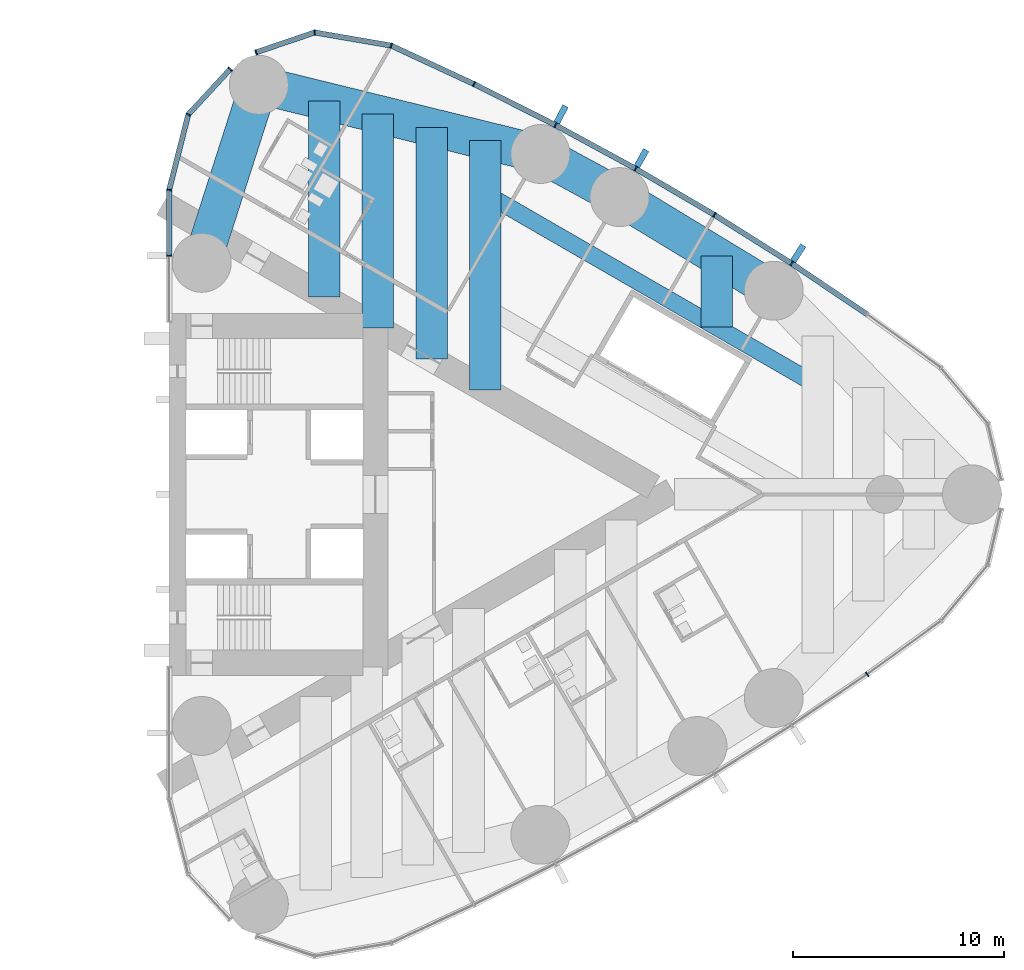
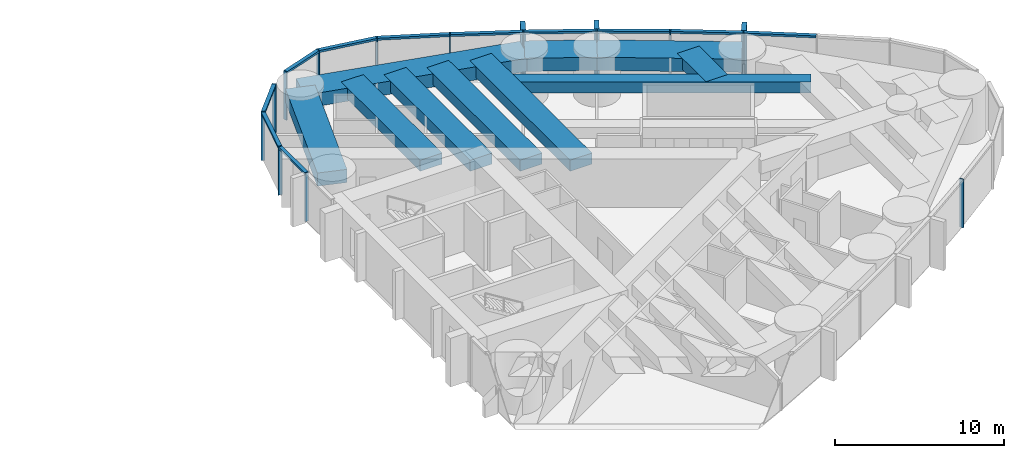
# One storey, part 8 of 19: 27 members, 10 beams, 3 elements without a shape of their own.
"""IFC4 building model written with IfcOpenShell, lengths in metres."""

from ifc_helpers import new_model, si_unit, direction, frame, origin, origin_2d, place, context, subcontext, project, spatial, rectangle, hollow_rectangle, extrude, material, material_profile, profile_set, type_object, element, aggregate, save


model = new_model("IFC4")

# Units and contexts
model_context = context("Model", 3, precision=1e-05, world=origin(), true_north=direction((0.0, 1.0)))
body_context = subcontext(model_context, "Body", "Model", "MODEL_VIEW")
ifc_project = project(units=[si_unit("LENGTHUNIT", "METRE"), si_unit("AREAUNIT", "SQUARE_METRE"), si_unit("VOLUMEUNIT", "CUBIC_METRE"), si_unit("PLANEANGLEUNIT", "RADIAN"), si_unit("MASSUNIT", "GRAM", prefix="KILO")], contexts=[model_context])

# Site, building, storey
site_placement = place(None, origin())
site = spatial("IfcSite", under=ifc_project, at=site_placement, CompositionType="ELEMENT")
building_placement = place(site_placement, origin())
building = spatial("IfcBuilding", under=site, at=building_placement, Name="Lancet Gate Hotel", CompositionType="ELEMENT")
storey_placement = place(building_placement, frame((0.0, 0.0, 191.300048828125)))
storey = spatial("IfcBuildingStorey", under=building, at=storey_placement, Name="L51", CompositionType="ELEMENT", Elevation=191.300048828125)

# Curtain wall, member
ifc_material_1 = material(Name="Aluminium curtain wall", Category="aluminium")
curtain_wall_type = type_object("IfcCurtainWallType", Name="Tower unitised curtain wall", PredefinedType="USERDEFINED", material=ifc_material_1)
curtain_wall_1_placement = place(storey_placement, origin())
curtain_wall_1 = element("IfcCurtainWall", 1, at=curtain_wall_1_placement, inside=storey, type_object=curtain_wall_type, Name="T2 L51 curtain wall 2", ObjectType="UNITISED CURTAIN WALL", PredefinedType="USERDEFINED")
ifc_material_2 = material(Name="Aluminium mullion", Category="aluminium")
ifc_material_profile_1 = material_profile(ifc_material_2, rectangle(XDim=0.06494140625, YDim=0.25, at=origin_2d()), Name="MULLION 65x250")
ifc_profile_set_1 = profile_set([ifc_material_profile_1], Name="Aluminium mullion")
member_type_1 = type_object("IfcMemberType", Name="Aluminium mullion 65x250", PredefinedType="MULLION", material=ifc_profile_set_1)
member_1_placement = place(storey_placement, frame((60.66015625, -8.547607421875, 0.0), z_axis=(0.0, 0.0, 1.0), x_axis=(0.820068208435, 0.572265789222, 0.0)))
member_1 = element("IfcMember", 2, at=member_1_placement, type_object=member_type_1, Name="T2 L51 curtain wall 2 mullion 9", PredefinedType="MULLION", context=body_context, shape_type="SweptSolid", body=[
    extrude(rectangle(XDim=0.06494140625, YDim=0.25, at=origin_2d()), origin(), (0.0, 0.0, 1.0), 3.5),
])
aggregate(curtain_wall_1, [member_1])

# Curtain wall, members
curtain_wall_2_placement = place(storey_placement, origin())
curtain_wall_2 = element("IfcCurtainWall", 3, at=curtain_wall_2_placement, inside=storey, type_object=curtain_wall_type, Name="T2 L51 curtain wall 3", ObjectType="UNITISED CURTAIN WALL", PredefinedType="USERDEFINED")
member_2_placement = place(storey_placement, frame((57.067138671875, 10.970947265625, 0.0), z_axis=(0.0, 0.0, 1.0), x_axis=(-0.837800943278, 0.545975804815, 0.0)))
member_2 = element("IfcMember", 4, at=member_2_placement, type_object=member_type_1, Name="T2 L51 curtain wall 3 mullion 5", PredefinedType="MULLION", context=body_context, shape_type="SweptSolid", body=[
    extrude(rectangle(XDim=0.06494140625, YDim=0.25, at=origin_2d()), origin(), (0.0, 0.0, 1.0), 3.5),
])
member_3_placement = place(storey_placement, frame((53.39892578125, 13.279541015625, 0.0), z_axis=(0.0, 0.0, 1.0), x_axis=(-0.854691174453, 0.519136779965, 0.0)))
member_3 = element("IfcMember", 5, at=member_3_placement, type_object=member_type_1, Name="T2 L51 curtain wall 3 mullion 6", PredefinedType="MULLION", context=body_context, shape_type="SweptSolid", body=[
    extrude(rectangle(XDim=0.06494140625, YDim=0.25, at=origin_2d()), origin(), (0.0, 0.0, 1.0), 3.5),
])
member_4_placement = place(storey_placement, frame((49.65966796875, 15.47021484375, 0.0), z_axis=(0.0, 0.0, 1.0), x_axis=(-0.870721916932, 0.491775704336, 0.0)))
member_4 = element("IfcMember", 6, at=member_4_placement, type_object=member_type_1, Name="T2 L51 curtain wall 3 mullion 7", PredefinedType="MULLION", context=body_context, shape_type="SweptSolid", body=[
    extrude(rectangle(XDim=0.06494140625, YDim=0.25, at=origin_2d()), origin(), (0.0, 0.0, 1.0), 3.5),
])
member_5_placement = place(storey_placement, frame((45.8525390625, 17.54150390625, 0.0), z_axis=(0.0, 0.0, 1.0), x_axis=(-0.885877049989, 0.463920092584, 0.0)))
member_5 = element("IfcMember", 7, at=member_5_placement, type_object=member_type_1, Name="T2 L51 curtain wall 3 mullion 8", PredefinedType="MULLION", context=body_context, shape_type="SweptSolid", body=[
    extrude(rectangle(XDim=0.06494140625, YDim=0.25, at=origin_2d()), origin(), (0.0, 0.0, 1.0), 3.5),
])
member_6_placement = place(storey_placement, frame((41.98193359375, 19.490966796875, 0.0), z_axis=(0.0, 0.0, 1.0), x_axis=(-0.900141333422, 0.435597956681, 0.0)))
member_6 = element("IfcMember", 8, at=member_6_placement, type_object=member_type_1, Name="T2 L51 curtain wall 3 mullion 9", PredefinedType="MULLION", context=body_context, shape_type="SweptSolid", body=[
    extrude(rectangle(XDim=0.06494140625, YDim=0.25, at=origin_2d()), origin(), (0.0, 0.0, 1.0), 3.5),
])
member_7_placement = place(storey_placement, frame((38.05126953125, 21.31689453125, 0.0), z_axis=(0.0, 0.0, 1.0), x_axis=(-0.951355493327, 0.308095318555, 0.0)))
member_7 = element("IfcMember", 9, at=member_7_placement, type_object=member_type_1, Name="T2 L51 curtain wall 3 mullion 10", PredefinedType="MULLION", context=body_context, shape_type="SweptSolid", body=[
    extrude(rectangle(XDim=0.06494140625, YDim=0.25, at=origin_2d()), origin(), (0.0, 0.0, 1.0), 3.5),
])
member_8_placement = place(storey_placement, frame((34.412109375, 21.9423828125, 0.0), z_axis=(0.0, 0.0, 1.0), x_axis=(-0.99877556888, -0.049470829879, 0.0)))
member_8 = element("IfcMember", 10, at=member_8_placement, type_object=member_type_1, Name="T2 L51 curtain wall 3 mullion 11", PredefinedType="MULLION", context=body_context, shape_type="SweptSolid", body=[
    extrude(rectangle(XDim=0.06494140625, YDim=0.25, at=origin_2d()), origin(), (0.0, 0.0, 1.0), 3.5),
])
member_9_placement = place(storey_placement, frame((31.631591796875, 20.998779296875, 0.0), z_axis=(0.0, 0.0, 1.0), x_axis=(-0.946952368511, -0.321373943827, 0.0)))
member_9 = element("IfcMember", 11, at=member_9_placement, type_object=member_type_1, Name="T2 L51 curtain wall 3 mullion 12", PredefinedType="MULLION", context=body_context, shape_type="SweptSolid", body=[
    extrude(rectangle(XDim=0.06494140625, YDim=0.25, at=origin_2d()), origin(), (0.0, 0.0, 1.0), 3.5),
])

curtain_wall_3_placement = place(storey_placement, origin())
curtain_wall_3 = element("IfcCurtainWall", 12, at=curtain_wall_3_placement, inside=storey, type_object=curtain_wall_type, Name="T2 L51 curtain wall 4", ObjectType="UNITISED CURTAIN WALL", PredefinedType="USERDEFINED")
member_10_placement = place(storey_placement, frame((30.40185546875, 20.199951171875, 0.0), z_axis=(0.0, 0.0, 1.0), x_axis=(-0.67883123083, -0.734294327943, 0.0)))
member_10 = element("IfcMember", 13, at=member_10_placement, type_object=member_type_1, Name="T2 L51 curtain wall 4 mullion 1", PredefinedType="MULLION", context=body_context, shape_type="SweptSolid", body=[
    extrude(rectangle(XDim=0.06494140625, YDim=0.25, at=origin_2d()), origin(), (0.0, 0.0, 1.0), 3.5),
])
member_11_placement = place(storey_placement, frame((28.408935546875, 18.04443359375, 0.0), z_axis=(0.0, 0.0, 1.0), x_axis=(-0.451505925065, -0.892268120932, 0.0)))
member_11 = element("IfcMember", 14, at=member_11_placement, type_object=member_type_1, Name="T2 L51 curtain wall 4 mullion 2", PredefinedType="MULLION", context=body_context, shape_type="SweptSolid", body=[
    extrude(rectangle(XDim=0.06494140625, YDim=0.25, at=origin_2d()), origin(), (0.0, 0.0, 1.0), 3.5),
])
member_12_placement = place(storey_placement, frame((27.5, 14.465576171875, 0.0), z_axis=(0.0, 0.0, 1.0), x_axis=(-0.134206524909, -0.990953383703, 0.0)))
member_12 = element("IfcMember", 15, at=member_12_placement, type_object=member_type_1, Name="T2 L51 curtain wall 4 mullion 3", PredefinedType="MULLION", context=body_context, shape_type="SweptSolid", body=[
    extrude(rectangle(XDim=0.06494140625, YDim=0.25, at=origin_2d()), origin(), (0.0, 0.0, 1.0), 3.5),
])
member_13_placement = place(storey_placement, frame((27.5, 11.332763671875, 0.0), z_axis=(0.0, 0.0, 1.0), x_axis=(0.0, -1.0, 0.0)))
member_13 = element("IfcMember", 16, at=member_13_placement, type_object=member_type_1, Name="T2 L51 curtain wall 4 mullion 4", PredefinedType="MULLION", context=body_context, shape_type="SweptSolid", body=[
    extrude(rectangle(XDim=0.06494140625, YDim=0.25, at=origin_2d()), origin(), (0.0, 0.0, 1.0), 3.5),
])

# Member
ifc_material_3 = material(Name="Aluminium transom", Category="aluminium")
ifc_material_profile_2 = material_profile(ifc_material_3, rectangle(XDim=0.25, YDim=0.14990234375, at=origin_2d()), Name="TRANSOM 250x150")
ifc_profile_set_2 = profile_set([ifc_material_profile_2], Name="Aluminium transom")
member_type_2 = type_object("IfcMemberType", Name="Aluminium transom 250x150", PredefinedType="USERDEFINED", material=ifc_profile_set_2)
member_14_placement = place(storey_placement, frame((60.63330078125, 8.565673828125, 3.425048828125), z_axis=(-0.829046850689, 0.559179147826, 0.0), x_axis=(-0.559179147826, -0.829046850689, 0.0)))
member_14 = element("IfcMember", 17, at=member_14_placement, type_object=member_type_2, Name="T2 L51 curtain wall 3 transom 4", ObjectType="TRANSOM", PredefinedType="USERDEFINED", context=body_context, shape_type="SweptSolid", body=[
    extrude(rectangle(XDim=0.25, YDim=0.14990234375, at=origin_2d()), origin(), (0.0, 0.0, 1.0), 4.26904296875),
])

member_15_placement = place(storey_placement, frame((57.03955078125, 10.98828125, 3.425048828125), z_axis=(-0.846333101657, 0.532653997488, 0.0), x_axis=(-0.532653997488, -0.846333101657, 0.0)))
member_15 = element("IfcMember", 18, at=member_15_placement, type_object=member_type_2, Name="T2 L51 curtain wall 3 transom 5", ObjectType="TRANSOM", PredefinedType="USERDEFINED", context=body_context, shape_type="SweptSolid", body=[
    extrude(rectangle(XDim=0.25, YDim=0.14990234375, at=origin_2d()), origin(), (0.0, 0.0, 1.0), 4.26904296875),
])

member_16_placement = place(storey_placement, frame((53.37109375, 13.2958984375, 3.425048828125), z_axis=(-0.862825279032, 0.505502262966, 0.0), x_axis=(-0.505502262966, -0.862825279032, 0.0)))
member_16 = element("IfcMember", 19, at=member_16_placement, type_object=member_type_2, Name="T2 L51 curtain wall 3 transom 6", ObjectType="TRANSOM", PredefinedType="USERDEFINED", context=body_context, shape_type="SweptSolid", body=[
    extrude(rectangle(XDim=0.25, YDim=0.14990234375, at=origin_2d()), origin(), (0.0, 0.0, 1.0), 4.26904296875),
])

member_17_placement = place(storey_placement, frame((49.631103515625, 15.48583984375, 3.425048828125), z_axis=(-0.878404302735, 0.477918278513, 0.0), x_axis=(-0.477918278513, -0.878404302735, 0.0)))
member_17 = element("IfcMember", 20, at=member_17_placement, type_object=member_type_2, Name="T2 L51 curtain wall 3 transom 7", ObjectType="TRANSOM", PredefinedType="USERDEFINED", context=body_context, shape_type="SweptSolid", body=[
    extrude(rectangle(XDim=0.25, YDim=0.14990234375, at=origin_2d()), origin(), (0.0, 0.0, 1.0), 4.26904296875),
])

member_18_placement = place(storey_placement, frame((45.82373046875, 17.55615234375, 3.425048828125), z_axis=(-0.893130969207, 0.449796700571, 0.0), x_axis=(-0.449796700571, -0.893130969207, 0.0)))
member_18 = element("IfcMember", 21, at=member_18_placement, type_object=member_type_2, Name="T2 L51 curtain wall 3 transom 8", ObjectType="TRANSOM", PredefinedType="USERDEFINED", context=body_context, shape_type="SweptSolid", body=[
    extrude(rectangle(XDim=0.25, YDim=0.14990234375, at=origin_2d()), origin(), (0.0, 0.0, 1.0), 4.26904296875),
])

member_19_placement = place(storey_placement, frame((41.952392578125, 19.504638671875, 3.425048828125), z_axis=(-0.906913768492, 0.421316290357, 0.0), x_axis=(-0.421316290357, -0.906913768492, 0.0)))
member_19 = element("IfcMember", 22, at=member_19_placement, type_object=member_type_2, Name="T2 L51 curtain wall 3 transom 9", ObjectType="TRANSOM", PredefinedType="USERDEFINED", context=body_context, shape_type="SweptSolid", body=[
    extrude(rectangle(XDim=0.25, YDim=0.14990234375, at=origin_2d()), origin(), (0.0, 0.0, 1.0), 4.26904296875),
])

member_20_placement = place(storey_placement, frame((38.019287109375, 21.322265625, 3.425048828125), z_axis=(-0.985536950873, 0.169460669373, 0.0), x_axis=(-0.169460669373, -0.985536950873, 0.0)))
member_20 = element("IfcMember", 23, at=member_20_placement, type_object=member_type_2, Name="T2 L51 curtain wall 3 transom 10", ObjectType="TRANSOM", PredefinedType="USERDEFINED", context=body_context, shape_type="SweptSolid", body=[
    extrude(rectangle(XDim=0.25, YDim=0.14990234375, at=origin_2d()), origin(), (0.0, 0.0, 1.0), 3.627685546875),
])

member_21_placement = place(storey_placement, frame((34.38134765625, 21.93212890625, 3.425048828125), z_axis=(-0.946943122832, -0.321401185625, 0.0), x_axis=(0.321401185625, -0.946943122832, 0.0)))
member_21 = element("IfcMember", 24, at=member_21_placement, type_object=member_type_2, Name="T2 L51 curtain wall 3 transom 11", ObjectType="TRANSOM", PredefinedType="USERDEFINED", context=body_context, shape_type="SweptSolid", body=[
    extrude(rectangle(XDim=0.25, YDim=0.14990234375, at=origin_2d()), origin(), (0.0, 0.0, 1.0), 2.871337890625),
])

member_22_placement = place(storey_placement, frame((30.379638671875, 20.17626953125, 3.425048828125), z_axis=(-0.678792146129, -0.734330458549, 0.0), x_axis=(0.734330458549, -0.678792146129, 0.0)))
member_22 = element("IfcMember", 25, at=member_22_placement, type_object=member_type_2, Name="T2 L51 curtain wall 4 transom 1", ObjectType="TRANSOM", PredefinedType="USERDEFINED", context=body_context, shape_type="SweptSolid", body=[
    extrude(rectangle(XDim=0.25, YDim=0.14990234375, at=origin_2d()), origin(), (0.0, 0.0, 1.0), 2.87060546875),
])

member_23_placement = place(storey_placement, frame((28.40087890625, 18.012939453125, 3.425048828125), z_axis=(-0.246128756616, -0.969237140831, 0.0), x_axis=(0.969237140831, -0.246128756616, 0.0)))
member_23 = element("IfcMember", 26, at=member_23_placement, type_object=member_type_2, Name="T2 L51 curtain wall 4 transom 2", ObjectType="TRANSOM", PredefinedType="USERDEFINED", context=body_context, shape_type="SweptSolid", body=[
    extrude(rectangle(XDim=0.25, YDim=0.14990234375, at=origin_2d()), origin(), (0.0, 0.0, 1.0), 3.62744140625),
])

member_24_placement = place(storey_placement, frame((27.5, 14.43310546875, 3.425048828125), z_axis=(0.0, -1.0, 0.0), x_axis=(1.0, 0.0, 0.0)))
member_24 = element("IfcMember", 27, at=member_24_placement, type_object=member_type_2, Name="T2 L51 curtain wall 4 transom 3", ObjectType="TRANSOM", PredefinedType="USERDEFINED", context=body_context, shape_type="SweptSolid", body=[
    extrude(rectangle(XDim=0.25, YDim=0.14990234375, at=origin_2d()), origin(), (0.0, 0.0, 1.0), 3.06787109375),
])

aggregate(curtain_wall_3, [member_10, member_11, member_12, member_13, member_22, member_23, member_24])

# Beams
ifc_material_4 = material(Name="Concrete C50/60", Category="concrete")
ifc_material_profile_3 = material_profile(ifc_material_4, rectangle(XDim=1.800048828125, YDim=0.949951171875, at=origin_2d()), Name="RC 1800x950")
ifc_profile_set_3 = profile_set([ifc_material_profile_3], Name="Concrete C50/60")
beam_type_1 = type_object("IfcBeamType", Name="Edge beam RC 1800x950", PredefinedType="SPANDREL", material=ifc_profile_set_3)
beam_1_placement = place(storey_placement, frame((56.220947265625, 9.67236328125, 2.77490234375), z_axis=(-0.854692251129, 0.519135007353, 0.0), x_axis=(-0.519135007353, -0.854692251129, 0.0)))
element("IfcBeam", 28, at=beam_1_placement, inside=storey, type_object=beam_type_1, Name="T2 edge beam EB1 L51", PredefinedType="SPANDREL", context=body_context, shape_type="SweptSolid", body=[
    extrude(rectangle(XDim=1.800048828125, YDim=0.949951171875, at=origin_2d()), origin(), (0.0, 0.0, 1.0), 8.568603515625),
])
beam_2_placement = place(storey_placement, frame((48.8974609375, 14.12060546875, 2.77490234375), z_axis=(-0.878404597051, 0.477917737566, 0.0), x_axis=(-0.477917737566, -0.878404597051, 0.0)))
element("IfcBeam", 29, at=beam_2_placement, inside=storey, type_object=beam_type_1, Name="T2 edge beam EB1 L51", PredefinedType="SPANDREL", context=body_context, shape_type="SweptSolid", body=[
    extrude(rectangle(XDim=1.800048828125, YDim=0.949951171875, at=origin_2d()), origin(), (0.0, 0.0, 1.0), 4.284912109375),
])
beam_3_placement = place(storey_placement, frame((45.133544921875, 16.16845703125, 2.77490234375), z_axis=(-0.971093253227, 0.238700426344, 0.0), x_axis=(-0.238700426344, -0.971093253227, 0.0)))
element("IfcBeam", 30, at=beam_3_placement, inside=storey, type_object=beam_type_1, Name="T2 edge beam EB1 L51", PredefinedType="SPANDREL", context=body_context, shape_type="SweptSolid", body=[
    extrude(rectangle(XDim=1.800048828125, YDim=0.949951171875, at=origin_2d()), origin(), (0.0, 0.0, 1.0), 13.77197265625),
])
beam_4_placement = place(storey_placement, frame((29.050048828125, 11.0, 2.77490234375), z_axis=(0.305169772986, 0.952297962644, 0.0), x_axis=(-0.952297962644, 0.305169772986, 0.0)))
element("IfcBeam", 31, at=beam_4_placement, inside=storey, type_object=beam_type_1, Name="T2 edge beam EB1 L51", PredefinedType="SPANDREL", context=body_context, shape_type="SweptSolid", body=[
    extrude(rectangle(XDim=1.800048828125, YDim=0.949951171875, at=origin_2d()), origin(), (0.0, 0.0, 1.0), 8.87939453125),
])

# Member
ifc_material_5 = material(Name="Precast concrete C50/60", Category="concrete")
ifc_material_profile_4 = material_profile(ifc_material_5, rectangle(XDim=0.300048828125, YDim=0.89990234375, at=origin_2d()), Name="FIN 300x900")
ifc_profile_set_4 = profile_set([ifc_material_profile_4], Name="Precast concrete C50/60")
member_type_3 = type_object("IfcMemberType", Name="Exposed concrete fin 300x900", PredefinedType="USERDEFINED", material=ifc_profile_set_4)
member_25_placement = place(storey_placement, frame((57.381103515625, 11.452880859375, 0.0), z_axis=(0.0, 0.0, 1.0), x_axis=(-0.837800943278, 0.545975804815, 0.0)))
member_25 = element("IfcMember", 32, at=member_25_placement, type_object=member_type_3, Name="T2 L51 curtain wall 3 fin 5", ObjectType="FIN", PredefinedType="USERDEFINED", context=body_context, shape_type="SweptSolid", body=[
    extrude(rectangle(XDim=0.300048828125, YDim=0.89990234375, at=origin_2d()), origin(), (0.0, 0.0, 1.0), 3.5),
])

member_26_placement = place(storey_placement, frame((49.9423828125, 15.970947265625, 0.0), z_axis=(0.0, 0.0, 1.0), x_axis=(-0.870721916932, 0.491775704336, 0.0)))
member_26 = element("IfcMember", 33, at=member_26_placement, type_object=member_type_3, Name="T2 L51 curtain wall 3 fin 7", ObjectType="FIN", PredefinedType="USERDEFINED", context=body_context, shape_type="SweptSolid", body=[
    extrude(rectangle(XDim=0.300048828125, YDim=0.89990234375, at=origin_2d()), origin(), (0.0, 0.0, 1.0), 3.5),
])

member_27_placement = place(storey_placement, frame((46.119384765625, 18.051025390625, 0.0), z_axis=(0.0, 0.0, 1.0), x_axis=(-0.885877049989, 0.463920092584, 0.0)))
member_27 = element("IfcMember", 34, at=member_27_placement, type_object=member_type_3, Name="T2 L51 curtain wall 3 fin 8", ObjectType="FIN", PredefinedType="USERDEFINED", context=body_context, shape_type="SweptSolid", body=[
    extrude(rectangle(XDim=0.300048828125, YDim=0.89990234375, at=origin_2d()), origin(), (0.0, 0.0, 1.0), 3.5),
])

aggregate(curtain_wall_2, [member_2, member_25, member_3, member_4, member_26, member_5, member_27, member_6, member_7, member_8, member_9, member_14, member_15, member_16, member_17, member_18, member_19, member_20, member_21])

# Beams
ifc_material_6 = material(Name="Concrete C50/60", Category="concrete")
ifc_material_profile_5 = material_profile(ifc_material_6, rectangle(XDim=1.5, YDim=0.800048828125, at=origin_2d()), Name="RC 1500x800")
ifc_profile_set_5 = profile_set([ifc_material_profile_5], Name="Concrete C50/60")
beam_type_2 = type_object("IfcBeamType", Name="Floor beam RC 1500x800", PredefinedType="BEAM", material=ifc_profile_set_5)
beam_5_placement = place(storey_placement, frame((34.859619140625, 9.377685546875, 2.849853515625), z_axis=(0.0, 1.0, 0.0), x_axis=(-1.0, 0.0, 0.0)))
element("IfcBeam", 35, at=beam_5_placement, inside=storey, type_object=beam_type_2, Name="T2 floor beam F02N L51", PredefinedType="BEAM", context=body_context, shape_type="SweptSolid", body=[
    extrude(rectangle(XDim=1.5, YDim=0.800048828125, at=origin_2d()), origin(), (0.0, 0.0, 1.0), 9.316162109375),
])
beam_6_placement = place(storey_placement, frame((37.412841796875, 7.903564453125, 2.849853515625), z_axis=(0.0, 1.0, 0.0), x_axis=(-1.0, 0.0, 0.0)))
element("IfcBeam", 36, at=beam_6_placement, inside=storey, type_object=beam_type_2, Name="T2 floor beam F04N L51", PredefinedType="BEAM", context=body_context, shape_type="SweptSolid", body=[
    extrude(rectangle(XDim=1.5, YDim=0.800048828125, at=origin_2d()), origin(), (0.0, 0.0, 1.0), 10.16259765625),
])
beam_7_placement = place(storey_placement, frame((39.9658203125, 6.429443359375, 2.849853515625), z_axis=(0.0, 1.0, 0.0), x_axis=(-1.0, 0.0, 0.0)))
element("IfcBeam", 37, at=beam_7_placement, inside=storey, type_object=beam_type_2, Name="T2 floor beam F06N L51", PredefinedType="BEAM", context=body_context, shape_type="SweptSolid", body=[
    extrude(rectangle(XDim=1.5, YDim=0.800048828125, at=origin_2d()), origin(), (0.0, 0.0, 1.0), 11.00927734375),
])
beam_8_placement = place(storey_placement, frame((42.51904296875, 4.95556640625, 2.849853515625), z_axis=(0.0, 1.0, 0.0), x_axis=(-1.0, 0.0, 0.0)))
element("IfcBeam", 38, at=beam_8_placement, inside=storey, type_object=beam_type_2, Name="T2 floor beam F08N L51", PredefinedType="BEAM", context=body_context, shape_type="SweptSolid", body=[
    extrude(rectangle(XDim=1.5, YDim=0.800048828125, at=origin_2d()), origin(), (0.0, 0.0, 1.0), 11.85546875),
])
beam_9_placement = place(storey_placement, frame((53.502197265625, 7.94775390625, 2.849853515625), z_axis=(0.0, 1.0, 0.0), x_axis=(-1.0, 0.0, 0.0)))
element("IfcBeam", 39, at=beam_9_placement, inside=storey, type_object=beam_type_2, Name="T2 floor beam F11NB L51", PredefinedType="BEAM", context=body_context, shape_type="SweptSolid", body=[
    extrude(rectangle(XDim=1.5, YDim=0.800048828125, at=origin_2d()), origin(), (0.0, 0.0, 1.0), 3.3759765625),
])
ifc_material_7 = material(Name="Steel S460QL", Category="steel")
ifc_material_profile_6 = material_profile(ifc_material_7, hollow_rectangle(XDim=0.800048828125, YDim=0.800048828125, WallThickness=0.080078125, at=origin_2d()), Name="BOX 800x800x80")
ifc_profile_set_6 = profile_set([ifc_material_profile_6], Name="Steel S460QL")
beam_type_3 = type_object("IfcBeamType", Name="Trimmer beam BOX 800x800x80", PredefinedType="BEAM", material=ifc_profile_set_6)
beam_10_placement = place(storey_placement, frame((42.51904296875, 14.289794921875, 2.849853515625), z_axis=(0.865993732867, -0.500054851626, 0.0), x_axis=(0.500054851626, 0.865993732867, 0.0)))
element("IfcBeam", 40, at=beam_10_placement, inside=storey, type_object=beam_type_3, Name="T2 trimmer beam TR01N L51", PredefinedType="BEAM", context=body_context, shape_type="SweptSolid", body=[
    extrude(hollow_rectangle(XDim=0.800048828125, YDim=0.800048828125, WallThickness=0.080078125, at=origin_2d()), origin(), (0.0, 0.0, 1.0), 18.2255859375),
])

save(model, "model.ifc")
